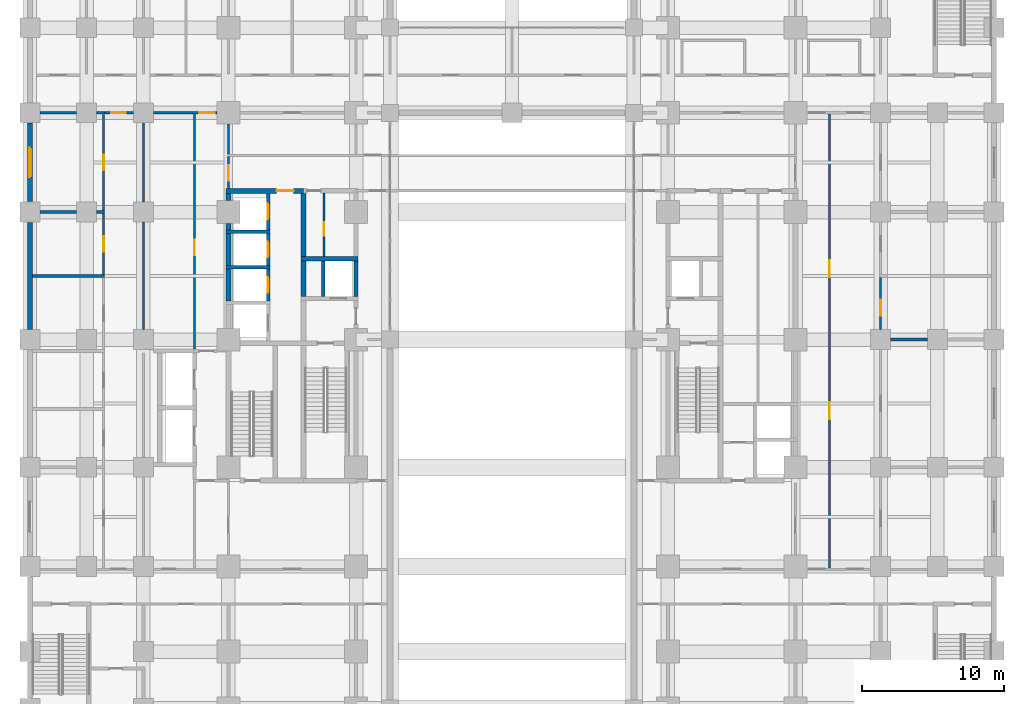
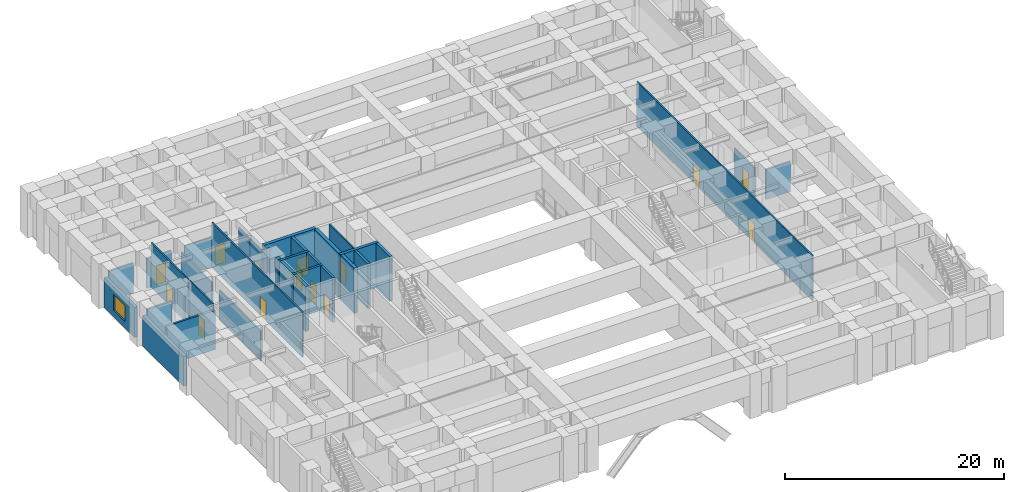
# One storey, part 14 of 24: 35 walls, 14 doors, 1 window, 15 openings.
"""IFC4 building model written with IfcOpenShell, lengths in metres."""

from ifc_helpers import new_model, si_unit, direction, frame, frame_2d, origin, place, context, subcontext, project, spatial, rectangle, extrude, material, layer, layer_set, type_object, element, fill, save


model = new_model("IFC4")

# Units and contexts
model_context = context("Model", 3, precision=1e-05, world=origin(), true_north=direction((0.0, 1.0)))
body_context = subcontext(model_context, "Body", "Model", "MODEL_VIEW")
ifc_project = project(units=[si_unit("LENGTHUNIT", "METRE"), si_unit("AREAUNIT", "SQUARE_METRE"), si_unit("VOLUMEUNIT", "CUBIC_METRE"), si_unit("PLANEANGLEUNIT", "RADIAN"), si_unit("MASSUNIT", "GRAM", prefix="KILO")], contexts=[model_context])

# Site, building, storey
site_placement = place(None, origin())
site = spatial("IfcSite", under=ifc_project, at=site_placement, CompositionType="ELEMENT")
building_placement = place(site_placement, origin())
building = spatial("IfcBuilding", under=site, at=building_placement, Name="Zulmaris Gate Convention Tower", CompositionType="ELEMENT")
storey_placement = place(building_placement, frame((0.0, 0.0, 16.320068359375)))
storey = spatial("IfcBuildingStorey", under=building, at=storey_placement, Name="L03", CompositionType="ELEMENT", Elevation=16.320068359375)

# Walls
ifc_material_1 = material(Name="Concrete C50/60", Category="concrete")
ifc_layer_1 = layer(ifc_material_1, 0.25, Name="Concrete C50/60")
ifc_layer_set_1 = layer_set([ifc_layer_1], Name="Concrete C50/60")
wall_type_1 = type_object("IfcWallType", Name="CORE-250", PredefinedType="SOLIDWALL", material=ifc_layer_set_1)
for number, where, z_axis, x_axis, name in (
    (1, (-20.175048828125, 5.10009765625, 0.0), (0.0, 0.0, 1.0), (1.0, 0.0, 0.0), "WL-L03-019"),
    (2, (-20.175048828125, 7.60009765625, 0.0), (0.0, 0.0, 1.0), (1.0, 0.0, 0.0), "WL-L03-022"),
):
    element("IfcWall", number, at=place(storey_placement, frame(where, z_axis=z_axis, x_axis=x_axis)), inside=storey, type_object=wall_type_1, Name=name, PredefinedType="SOLIDWALL", context=body_context, shape_type="SweptSolid", body=[
        extrude(rectangle(XDim=3.10009765625, YDim=0.25, at=frame_2d((1.550048828125, 0.0))), origin(), (0.0, 0.0, 1.0), 4.989990234375),
    ])

# Wall, opening, door
wall_1_placement = place(storey_placement, frame((-17.199951171875, 2.72705078125, 0.0), z_axis=(0.0, 0.0, 1.0), x_axis=(0.0, 1.0, 0.0)))
wall_1 = element("IfcWall", 3, at=wall_1_placement, inside=storey, type_object=wall_type_1, Name="WL-L03-079", PredefinedType="SOLIDWALL", context=body_context, shape_type="SweptSolid", body=[
    extrude(rectangle(XDim=2.245849609375, YDim=0.25, at=frame_2d((1.123046875, 0.0))), origin(), (0.0, 0.0, 1.0), 4.989990234375),
])
opening_1_placement = place(wall_1_placement, frame((0.572998046875, 0.0, 0.0)))
opening_1 = element("IfcOpeningElement", 4, at=opening_1_placement, cuts=wall_1, Name="Opening D-06", PredefinedType="OPENING", context=body_context, shape_type="SweptSolid", body=[
    extrude(rectangle(XDim=1.10009765625, YDim=2.199951171875, at=frame_2d((0.550048828125, 1.10009765625))), frame((0.0, 0.135009765625, 0.0), z_axis=(0.0, -1.0, 0.0), x_axis=(1.0, 0.0, 0.0)), (0.0, 0.0, 1.0), 0.27001953125),
])
ifc_material_2 = material(Name="Brushed Stainless Steel", Category="steel")
door_type_1 = type_object("IfcDoorType", Name="LD-1100", OperationType="NOTDEFINED", PredefinedType="DOOR", material=ifc_material_2)
door_1_placement = place(opening_1_placement, origin())
door_1 = element("IfcDoor", 5, at=door_1_placement, inside=storey, type_object=door_type_1, Name="L03 Lift Landing Door LP-02 13", OperationType="SLIDING_TO_LEFT", OverallHeight=2.199951171875, OverallWidth=1.10009765625, PredefinedType="DOOR", context=body_context, shape_type="SweptSolid", body=[
    extrude(rectangle(XDim=1.10009765625, YDim=2.199951171875, at=frame_2d((0.550048828125, 1.10009765625))), frame((0.0, 0.02490234375, 0.0), z_axis=(0.0, -1.0, 0.0), x_axis=(1.0, 0.0, 0.0)), (0.0, 0.0, 1.0), 0.050048828125),
])
fill(opening_1, door_1)

wall_2_placement = place(storey_placement, frame((-17.199951171875, 5.22705078125, 0.0), z_axis=(0.0, 0.0, 1.0), x_axis=(0.0, 1.0, 0.0)))
wall_2 = element("IfcWall", 6, at=wall_2_placement, inside=storey, type_object=wall_type_1, Name="WL-L03-080", PredefinedType="SOLIDWALL", context=body_context, shape_type="SweptSolid", body=[
    extrude(rectangle(XDim=2.245849609375, YDim=0.25, at=frame_2d((1.123046875, 0.0))), origin(), (0.0, 0.0, 1.0), 4.989990234375),
])
opening_2_placement = place(wall_2_placement, frame((0.572998046875, 0.0, 0.0)))
opening_2 = element("IfcOpeningElement", 7, at=opening_2_placement, cuts=wall_2, Name="Opening D-06", PredefinedType="OPENING", context=body_context, shape_type="SweptSolid", body=[
    extrude(rectangle(XDim=1.10009765625, YDim=2.199951171875, at=frame_2d((0.550048828125, 1.10009765625))), frame((0.0, 0.135009765625, 0.0), z_axis=(0.0, -1.0, 0.0), x_axis=(1.0, 0.0, 0.0)), (0.0, 0.0, 1.0), 0.27001953125),
])
door_2_placement = place(opening_2_placement, origin())
door_2 = element("IfcDoor", 8, at=door_2_placement, inside=storey, type_object=door_type_1, Name="L03 Lift Landing Door LP-03 14", OperationType="SLIDING_TO_LEFT", OverallHeight=2.199951171875, OverallWidth=1.10009765625, PredefinedType="DOOR", context=body_context, shape_type="SweptSolid", body=[
    extrude(rectangle(XDim=1.10009765625, YDim=2.199951171875, at=frame_2d((0.550048828125, 1.10009765625))), frame((0.0, 0.02490234375, 0.0), z_axis=(0.0, -1.0, 0.0), x_axis=(1.0, 0.0, 0.0)), (0.0, 0.0, 1.0), 0.050048828125),
])
fill(opening_2, door_2)

wall_3_placement = place(storey_placement, frame((-17.199951171875, 7.72705078125, 0.0), z_axis=(0.0, 0.0, 1.0), x_axis=(0.0, 1.0, 0.0)))
wall_3 = element("IfcWall", 9, at=wall_3_placement, inside=storey, type_object=wall_type_1, Name="WL-L03-081", PredefinedType="SOLIDWALL", context=body_context, shape_type="SweptSolid", body=[
    extrude(rectangle(XDim=2.595947265625, YDim=0.25, at=frame_2d((1.2978515625, 0.0))), origin(), (0.0, 0.0, 1.0), 4.989990234375),
])
opening_3_placement = place(wall_3_placement, frame((0.77294921875, 0.0, 0.0)))
opening_3 = element("IfcOpeningElement", 10, at=opening_3_placement, cuts=wall_3, Name="Opening D-06", PredefinedType="OPENING", context=body_context, shape_type="SweptSolid", body=[
    extrude(rectangle(XDim=1.10009765625, YDim=2.199951171875, at=frame_2d((0.550048828125, 1.10009765625))), frame((0.0, 0.135009765625, 0.0), z_axis=(0.0, -1.0, 0.0), x_axis=(1.0, 0.0, 0.0)), (0.0, 0.0, 1.0), 0.27001953125),
])
door_3_placement = place(opening_3_placement, origin())
door_3 = element("IfcDoor", 11, at=door_3_placement, inside=storey, type_object=door_type_1, Name="L03 Lift Landing Door LP-04 15", OperationType="SLIDING_TO_LEFT", OverallHeight=2.199951171875, OverallWidth=1.10009765625, PredefinedType="DOOR", context=body_context, shape_type="SweptSolid", body=[
    extrude(rectangle(XDim=1.10009765625, YDim=2.199951171875, at=frame_2d((0.550048828125, 1.10009765625))), frame((0.0, 0.02490234375, 0.0), z_axis=(0.0, -1.0, 0.0), x_axis=(1.0, 0.0, 0.0)), (0.0, 0.0, 1.0), 0.050048828125),
])
fill(opening_3, door_3)

# Walls
wall_4_placement = place(storey_placement, frame((-13.300048828125, 3.052001953125, 0.0), z_axis=(0.0, 0.0, 1.0), x_axis=(0.0, 1.0, 0.0)))
element("IfcWall", 12, at=wall_4_placement, inside=storey, type_object=wall_type_1, Name="WL-L03-087", PredefinedType="SOLIDWALL", context=body_context, shape_type="SweptSolid", body=[
    extrude(rectangle(XDim=2.49609375, YDim=0.25, at=frame_2d((1.248046875, 0.0))), origin(), (0.0, 0.0, 1.0), 4.989990234375),
])
ifc_layer_2 = layer(ifc_material_1, 0.300048828125, Name="Concrete C50/60")
ifc_layer_set_2 = layer_set([ifc_layer_2], Name="Concrete C50/60")
wall_type_2 = type_object("IfcWallType", Name="CORE-300", PredefinedType="SHEAR", material=ifc_layer_set_2)
wall_5_placement = place(storey_placement, frame((-14.875, 5.699951171875, 0.0), z_axis=(0.0, 0.0, 1.0), x_axis=(1.0, 0.0, 0.0)))
element("IfcWall", 13, at=wall_5_placement, inside=storey, type_object=wall_type_2, Name="WL-L03-020", PredefinedType="SHEAR", context=body_context, shape_type="SweptSolid", body=[
    extrude(rectangle(XDim=4.02490234375, YDim=0.300048828125, at=frame_2d((2.012451171875, 0.0))), origin(), (0.0, 0.0, 1.0), 4.989990234375),
])
wall_6_placement = place(storey_placement, frame((-11.0, 3.052001953125, 0.0), z_axis=(0.0, 0.0, 1.0), x_axis=(0.0, 1.0, 0.0)))
element("IfcWall", 14, at=wall_6_placement, inside=storey, type_object=wall_type_2, Name="WL-L03-091", PredefinedType="SHEAR", context=body_context, shape_type="SweptSolid", body=[
    extrude(rectangle(XDim=2.49609375, YDim=0.300048828125, at=frame_2d((1.248046875, 0.0))), origin(), (0.0, 0.0, 1.0), 4.989990234375),
])

# Wall, opening, door
ifc_material_3 = material(Name="Concrete C55/67", Category="concrete")
ifc_layer_3 = layer(ifc_material_3, 0.35009765625, Name="Concrete C55/67")
ifc_layer_set_3 = layer_set([ifc_layer_3], Name="Concrete C55/67")
wall_type_3 = type_object("IfcWallType", Name="CORE-350", PredefinedType="SHEAR", material=ifc_layer_set_3)
wall_7_placement = place(storey_placement, frame((-20.175048828125, 10.5, 0.0), z_axis=(0.0, 0.0, 1.0), x_axis=(1.0, 0.0, 0.0)))
wall_7 = element("IfcWall", 15, at=wall_7_placement, inside=storey, type_object=wall_type_3, Name="WL-L03-023", PredefinedType="SHEAR", context=body_context, shape_type="SweptSolid", body=[
    extrude(rectangle(XDim=5.47509765625, YDim=0.35009765625, at=frame_2d((2.737548828125, 0.0))), origin(), (0.0, 0.0, 1.0), 4.989990234375),
])
opening_4_placement = place(wall_7_placement, frame((3.574951171875, 0.0, 0.0)))
opening_4 = element("IfcOpeningElement", 16, at=opening_4_placement, cuts=wall_7, Name="Opening D-13", PredefinedType="OPENING", context=body_context, shape_type="SweptSolid", body=[
    extrude(rectangle(XDim=1.199951171875, YDim=2.14990234375, at=frame_2d((0.60009765625, 1.074951171875))), frame((0.0, 0.18505859375, 0.0), z_axis=(0.0, -1.0, 0.0), x_axis=(1.0, 0.0, 0.0)), (0.0, 0.0, 1.0), 0.3701171875),
])
ifc_material_4 = material(Name="Fire-Rated Steel", Category="steel")
door_type_2 = type_object("IfcDoorType", Name="DR-1200-FD", OperationType="NOTDEFINED", PredefinedType="DOOR", material=ifc_material_4)
door_4_placement = place(opening_4_placement, origin())
door_4 = element("IfcDoor", 17, at=door_4_placement, inside=storey, type_object=door_type_2, Name="L03 Low-Rise Lift Lobby Door 11", OperationType="SINGLE_SWING_LEFT", OverallHeight=2.14990234375, OverallWidth=1.199951171875, PredefinedType="DOOR", context=body_context, shape_type="SweptSolid", body=[
    extrude(rectangle(XDim=1.199951171875, YDim=2.14990234375, at=frame_2d((0.60009765625, 1.074951171875))), frame((0.0, 0.02490234375, 0.0), z_axis=(0.0, -1.0, 0.0), x_axis=(1.0, 0.0, 0.0)), (0.0, 0.0, 1.0), 0.050048828125),
])
fill(opening_4, door_4)

# Walls
for number, where, z_axis, x_axis, name in (
    (18, (-20.0, 2.72705078125, 0.0), (0.0, 0.0, 1.0), (0.0, 1.0, 0.0), "WL-L03-075"),
    (19, (-20.0, 5.22705078125, 0.0), (0.0, 0.0, 1.0), (0.0, 1.0, 0.0), "WL-L03-076"),
):
    element("IfcWall", number, at=place(storey_placement, frame(where, z_axis=z_axis, x_axis=x_axis)), inside=storey, type_object=wall_type_3, Name=name, PredefinedType="SHEAR", context=body_context, shape_type="SweptSolid", body=[
        extrude(rectangle(XDim=2.245849609375, YDim=0.35009765625, at=frame_2d((1.123046875, 0.0))), origin(), (0.0, 0.0, 1.0), 4.989990234375),
    ])
wall_8_placement = place(storey_placement, frame((-20.0, 7.72705078125, 0.0), z_axis=(0.0, 0.0, 1.0), x_axis=(0.0, 1.0, 0.0)))
element("IfcWall", 20, at=wall_8_placement, inside=storey, type_object=wall_type_3, Name="WL-L03-077", PredefinedType="SHEAR", context=body_context, shape_type="SweptSolid", body=[
    extrude(rectangle(XDim=0.468994140625, YDim=0.35009765625, at=frame_2d((0.234375, 0.0))), origin(), (0.0, 0.0, 1.0), 4.989990234375),
])
wall_9_placement = place(storey_placement, frame((-20.0, 9.803955078125, 0.0), z_axis=(0.0, 0.0, 1.0), x_axis=(0.0, 1.0, 0.0)))
element("IfcWall", 21, at=wall_9_placement, inside=storey, type_object=wall_type_3, Name="WL-L03-077S1", PredefinedType="SHEAR", context=body_context, shape_type="SweptSolid", body=[
    extrude(rectangle(XDim=0.51904296875, YDim=0.35009765625, at=frame_2d((0.259521484375, 0.0))), origin(), (0.0, 0.0, 1.0), 4.989990234375),
])
wall_10_placement = place(storey_placement, frame((-14.699951171875, 3.052001953125, 0.0), z_axis=(0.0, 0.0, 1.0), x_axis=(0.0, 1.0, 0.0)))
element("IfcWall", 22, at=wall_10_placement, inside=storey, type_object=wall_type_3, Name="WL-L03-085", PredefinedType="SHEAR", context=body_context, shape_type="SweptSolid", body=[
    extrude(rectangle(XDim=2.49609375, YDim=0.35009765625, at=frame_2d((1.248046875, 0.0))), origin(), (0.0, 0.0, 1.0), 4.989990234375),
])
wall_11_placement = place(storey_placement, frame((-14.699951171875, 5.85205078125, 0.0), z_axis=(0.0, 0.0, 1.0), x_axis=(0.0, 1.0, 0.0)))
element("IfcWall", 23, at=wall_11_placement, inside=storey, type_object=wall_type_3, Name="WL-L03-086", PredefinedType="SHEAR", context=body_context, shape_type="SweptSolid", body=[
    extrude(rectangle(XDim=4.470947265625, YDim=0.35009765625, at=frame_2d((2.2353515625, 0.0))), origin(), (0.0, 0.0, 1.0), 4.989990234375),
])

# Wall, opening, door
ifc_material_5 = material(Name="Gypsum Metal Stud Partition")
ifc_layer_4 = layer(ifc_material_5, 0.14990234375, Name="Gypsum Metal Stud Partition")
ifc_layer_set_4 = layer_set([ifc_layer_4], Name="Gypsum Metal Stud Partition")
wall_type_4 = type_object("IfcWallType", Name="PART-150", PredefinedType="PARTITIONING", material=ifc_layer_set_4)
wall_12_placement = place(storey_placement, frame((-28.875, 16.0, 0.0), z_axis=(0.0, 0.0, 1.0), x_axis=(1.0, 0.0, 0.0)))
wall_12 = element("IfcWall", 24, at=wall_12_placement, inside=storey, type_object=wall_type_4, Name="WL-L03-058", PredefinedType="PARTITIONING", context=body_context, shape_type="SweptSolid", body=[
    extrude(rectangle(XDim=2.1689453125, YDim=0.14990234375, at=frame_2d((1.08447265625, 0.0))), origin(), (0.0, 0.0, 1.0), 3.33203125),
])
opening_5_placement = place(wall_12_placement, frame((0.60009765625, 0.0, 0.0)))
opening_5 = element("IfcOpeningElement", 25, at=opening_5_placement, cuts=wall_12, Name="Opening D-09", PredefinedType="OPENING", context=body_context, shape_type="SweptSolid", body=[
    extrude(rectangle(XDim=1.050048828125, YDim=2.14990234375, at=frame_2d((0.52490234375, 1.074951171875))), frame((0.0, 0.0849609375, 0.0), z_axis=(0.0, -1.0, 0.0), x_axis=(1.0, 0.0, 0.0)), (0.0, 0.0, 1.0), 0.169921875),
])
door_type_3 = type_object("IfcDoorType", Name="DR-1050-FD", OperationType="NOTDEFINED", PredefinedType="DOOR", material=ifc_material_4)
door_5_placement = place(opening_5_placement, origin())
door_5 = element("IfcDoor", 26, at=door_5_placement, inside=storey, type_object=door_type_3, Name="L03 West Promenade North Concourse Door 64", OperationType="SINGLE_SWING_RIGHT", OverallHeight=2.14990234375, OverallWidth=1.050048828125, PredefinedType="DOOR", context=body_context, shape_type="SweptSolid", body=[
    extrude(rectangle(XDim=1.050048828125, YDim=2.14990234375, at=frame_2d((0.52490234375, 1.074951171875))), frame((0.0, 0.02490234375, 0.0), z_axis=(0.0, -1.0, 0.0), x_axis=(1.0, 0.0, 0.0)), (0.0, 0.0, 1.0), 0.050048828125),
])
fill(opening_5, door_5)

wall_13_placement = place(storey_placement, frame((-25.2939453125, 16.0, 0.0), z_axis=(0.0, 0.0, 1.0), x_axis=(1.0, 0.0, 0.0)))
wall_13 = element("IfcWall", 27, at=wall_13_placement, inside=storey, type_object=wall_type_4, Name="WL-L03-058S1", PredefinedType="PARTITIONING", context=body_context, shape_type="SweptSolid", body=[
    extrude(rectangle(XDim=4.488037109375, YDim=0.14990234375, at=frame_2d((2.244140625, 0.0))), origin(), (0.0, 0.0, 1.0), 3.33203125),
])
opening_6_placement = place(wall_13_placement, frame((3.238037109375, 0.0, 0.0)))
opening_6 = element("IfcOpeningElement", 28, at=opening_6_placement, cuts=wall_13, Name="Opening D-08", PredefinedType="OPENING", context=body_context, shape_type="SweptSolid", body=[
    extrude(rectangle(XDim=1.10009765625, YDim=2.14990234375, at=frame_2d((0.550048828125, 1.074951171875))), frame((0.0, 0.0849609375, 0.0), z_axis=(0.0, -1.0, 0.0), x_axis=(1.0, 0.0, 0.0)), (0.0, 0.0, 1.0), 0.169921875),
])
door_type_4 = type_object("IfcDoorType", Name="DR-1100-FD", OperationType="NOTDEFINED", PredefinedType="DOOR", material=ifc_material_4)
door_6_placement = place(opening_6_placement, origin())
door_6 = element("IfcDoor", 29, at=door_6_placement, inside=storey, type_object=door_type_4, Name="L03 West Concourse Link Door 34", OperationType="SINGLE_SWING_RIGHT", OverallHeight=2.14990234375, OverallWidth=1.10009765625, PredefinedType="DOOR", context=body_context, shape_type="SweptSolid", body=[
    extrude(rectangle(XDim=1.10009765625, YDim=2.14990234375, at=frame_2d((0.550048828125, 1.074951171875))), frame((0.0, 0.02490234375, 0.0), z_axis=(0.0, -1.0, 0.0), x_axis=(1.0, 0.0, 0.0)), (0.0, 0.0, 1.0), 0.050048828125),
])
fill(opening_6, door_6)

wall_14_placement = place(storey_placement, frame((-28.800048828125, 4.60302734375, 0.0), z_axis=(0.0, 0.0, 1.0), x_axis=(0.0, 1.0, 0.0)))
wall_14 = element("IfcWall", 30, at=wall_14_placement, inside=storey, type_object=wall_type_4, Name="WL-L03-115", PredefinedType="PARTITIONING", context=body_context, shape_type="SweptSolid", body=[
    extrude(rectangle(XDim=4.2939453125, YDim=0.14990234375, at=frame_2d((2.14697265625, 0.0))), origin(), (0.0, 0.0, 1.0), 4.989990234375),
])
opening_7_placement = place(wall_14_placement, frame((1.596923828125, 0.0, 0.0)))
opening_7 = element("IfcOpeningElement", 31, at=opening_7_placement, cuts=wall_14, Name="Opening D-08", PredefinedType="OPENING", context=body_context, shape_type="SweptSolid", body=[
    extrude(rectangle(XDim=1.10009765625, YDim=2.14990234375, at=frame_2d((0.550048828125, 1.074951171875))), frame((0.0, 0.0849609375, 0.0), z_axis=(0.0, -1.0, 0.0), x_axis=(1.0, 0.0, 0.0)), (0.0, 0.0, 1.0), 0.169921875),
])
door_7_placement = place(opening_7_placement, origin())
door_7 = element("IfcDoor", 32, at=door_7_placement, inside=storey, type_object=door_type_4, Name="L03 West Room WU2 Door 69", OperationType="SINGLE_SWING_LEFT", OverallHeight=2.14990234375, OverallWidth=1.10009765625, PredefinedType="DOOR", context=body_context, shape_type="SweptSolid", body=[
    extrude(rectangle(XDim=1.10009765625, YDim=2.14990234375, at=frame_2d((0.550048828125, 1.074951171875))), frame((0.0, 0.02490234375, 0.0), z_axis=(0.0, -1.0, 0.0), x_axis=(1.0, 0.0, 0.0)), (0.0, 0.0, 1.0), 0.050048828125),
])
fill(opening_7, door_7)

wall_15_placement = place(storey_placement, frame((-28.800048828125, 9.10302734375, 0.0), z_axis=(0.0, 0.0, 1.0), x_axis=(0.0, 1.0, 0.0)))
wall_15 = element("IfcWall", 33, at=wall_15_placement, inside=storey, type_object=wall_type_4, Name="WL-L03-116", PredefinedType="PARTITIONING", context=body_context, shape_type="SweptSolid", body=[
    extrude(rectangle(XDim=6.7939453125, YDim=0.14990234375, at=frame_2d((3.39697265625, 0.0))), origin(), (0.0, 0.0, 1.0), 4.989990234375),
])
opening_8_placement = place(wall_15_placement, frame((2.846923828125, 0.0, 0.0)))
opening_8 = element("IfcOpeningElement", 34, at=opening_8_placement, cuts=wall_15, Name="Opening D-08", PredefinedType="OPENING", context=body_context, shape_type="SweptSolid", body=[
    extrude(rectangle(XDim=1.10009765625, YDim=2.14990234375, at=frame_2d((0.550048828125, 1.074951171875))), frame((0.0, 0.0849609375, 0.0), z_axis=(0.0, -1.0, 0.0), x_axis=(1.0, 0.0, 0.0)), (0.0, 0.0, 1.0), 0.169921875),
])
door_8_placement = place(opening_8_placement, origin())
door_8 = element("IfcDoor", 35, at=door_8_placement, inside=storey, type_object=door_type_4, Name="L03 West Room WU3 Door 70", OperationType="SINGLE_SWING_RIGHT", OverallHeight=2.14990234375, OverallWidth=1.10009765625, PredefinedType="DOOR", context=body_context, shape_type="SweptSolid", body=[
    extrude(rectangle(XDim=1.10009765625, YDim=2.14990234375, at=frame_2d((0.550048828125, 1.074951171875))), frame((0.0, 0.02490234375, 0.0), z_axis=(0.0, -1.0, 0.0), x_axis=(1.0, 0.0, 0.0)), (0.0, 0.0, 1.0), 0.050048828125),
])
fill(opening_8, door_8)

# Walls
wall_16_placement = place(storey_placement, frame((-26.0, 0.7060546875, 0.0), z_axis=(0.0, 0.0, 1.0), x_axis=(0.0, 1.0, 0.0)))
element("IfcWall", 36, at=wall_16_placement, inside=storey, type_object=wall_type_4, Name="WL-L03-121", PredefinedType="PARTITIONING", context=body_context, shape_type="SweptSolid", body=[
    extrude(rectangle(XDim=7.587890625, YDim=0.14990234375, at=frame_2d((3.7939453125, 0.0))), origin(), (0.0, 0.0, 1.0), 3.33203125),
])
wall_17_placement = place(storey_placement, frame((-26.0, 9.7060546875, 0.0), z_axis=(0.0, 0.0, 1.0), x_axis=(0.0, 1.0, 0.0)))
element("IfcWall", 37, at=wall_17_placement, inside=storey, type_object=wall_type_4, Name="WL-L03-121S1", PredefinedType="PARTITIONING", context=body_context, shape_type="SweptSolid", body=[
    extrude(rectangle(XDim=5.587890625, YDim=0.14990234375, at=frame_2d((2.7939453125, 0.0))), origin(), (0.0, 0.0, 1.0), 3.33203125),
])

# Wall, opening, door
wall_18_placement = place(storey_placement, frame((-22.39990234375, -0.64697265625, 0.0), z_axis=(0.0, 0.0, 1.0), x_axis=(0.0, 1.0, 0.0)))
wall_18 = element("IfcWall", 38, at=wall_18_placement, inside=storey, type_object=wall_type_4, Name="WL-L03-126", PredefinedType="PARTITIONING", context=body_context, shape_type="SweptSolid", body=[
    extrude(rectangle(XDim=16.569091796875, YDim=0.14990234375, at=frame_2d((8.28466796875, 0.0))), origin(), (0.0, 0.0, 1.0), 4.989990234375),
])
opening_9_placement = place(wall_18_placement, frame((6.596923828125, 0.0, 0.0)))
opening_9 = element("IfcOpeningElement", 39, at=opening_9_placement, cuts=wall_18, Name="Opening D-08", PredefinedType="OPENING", context=body_context, shape_type="SweptSolid", body=[
    extrude(rectangle(XDim=1.10009765625, YDim=2.14990234375, at=frame_2d((0.550048828125, 1.074951171875))), frame((0.0, 0.0849609375, 0.0), z_axis=(0.0, -1.0, 0.0), x_axis=(1.0, 0.0, 0.0)), (0.0, 0.0, 1.0), 0.169921875),
])
door_9_placement = place(opening_9_placement, origin())
door_9 = element("IfcDoor", 40, at=door_9_placement, inside=storey, type_object=door_type_4, Name="L03 West Delegate Lounge Door 30", OperationType="SINGLE_SWING_RIGHT", OverallHeight=2.14990234375, OverallWidth=1.10009765625, PredefinedType="DOOR", context=body_context, shape_type="SweptSolid", body=[
    extrude(rectangle(XDim=1.10009765625, YDim=2.14990234375, at=frame_2d((0.550048828125, 1.074951171875))), frame((0.0, 0.02490234375, 0.0), z_axis=(0.0, -1.0, 0.0), x_axis=(1.0, 0.0, 0.0)), (0.0, 0.0, 1.0), 0.050048828125),
])
fill(opening_9, door_9)

wall_19_placement = place(storey_placement, frame((-20.0, 10.677978515625, 0.0), z_axis=(0.0, 0.0, 1.0), x_axis=(0.0, 1.0, 0.0)))
wall_19 = element("IfcWall", 41, at=wall_19_placement, inside=storey, type_object=wall_type_4, Name="WL-L03-129", PredefinedType="PARTITIONING", context=body_context, shape_type="SweptSolid", body=[
    extrude(rectangle(XDim=2.244140625, YDim=0.14990234375, at=frame_2d((1.1220703125, 0.0))), origin(), (0.0, 0.0, 1.0), 4.031982421875),
])
opening_10_placement = place(wall_19_placement, frame((0.52197265625, 0.0, 0.0)))
opening_10 = element("IfcOpeningElement", 42, at=opening_10_placement, cuts=wall_19, Name="Opening D-08", PredefinedType="OPENING", context=body_context, shape_type="SweptSolid", body=[
    extrude(rectangle(XDim=1.10009765625, YDim=2.14990234375, at=frame_2d((0.550048828125, 1.074951171875))), frame((0.0, 0.0849609375, 0.0), z_axis=(0.0, -1.0, 0.0), x_axis=(1.0, 0.0, 0.0)), (0.0, 0.0, 1.0), 0.169921875),
])
door_10_placement = place(opening_10_placement, origin())
door_10 = element("IfcDoor", 43, at=door_10_placement, inside=storey, type_object=door_type_4, Name="L03 West Passage North Door 42", OperationType="SINGLE_SWING_RIGHT", OverallHeight=2.14990234375, OverallWidth=1.10009765625, PredefinedType="DOOR", context=body_context, shape_type="SweptSolid", body=[
    extrude(rectangle(XDim=1.10009765625, YDim=2.14990234375, at=frame_2d((0.550048828125, 1.074951171875))), frame((0.0, 0.02490234375, 0.0), z_axis=(0.0, -1.0, 0.0), x_axis=(1.0, 0.0, 0.0)), (0.0, 0.0, 1.0), 0.050048828125),
])
fill(opening_10, door_10)

# Wall
wall_20_placement = place(storey_placement, frame((-20.0, 13.077880859375, 0.0), z_axis=(0.0, 0.0, 1.0), x_axis=(0.0, 1.0, 0.0)))
element("IfcWall", 44, at=wall_20_placement, inside=storey, type_object=wall_type_4, Name="WL-L03-130", PredefinedType="PARTITIONING", context=body_context, shape_type="SweptSolid", body=[
    extrude(rectangle(XDim=2.1162109375, YDim=0.14990234375, at=frame_2d((1.05810546875, 0.0))), origin(), (0.0, 0.0, 1.0), 4.031982421875),
])

# Wall, opening, door
wall_21_placement = place(storey_placement, frame((-13.25, 5.85302734375, 0.0), z_axis=(0.0, 0.0, 1.0), x_axis=(0.0, 1.0, 0.0)))
wall_21 = element("IfcWall", 45, at=wall_21_placement, inside=storey, type_object=wall_type_4, Name="WL-L03-133", PredefinedType="PARTITIONING", context=body_context, shape_type="SweptSolid", body=[
    extrude(rectangle(XDim=4.493896484375, YDim=0.14990234375, at=frame_2d((2.2470703125, 0.0))), origin(), (0.0, 0.0, 1.0), 4.989990234375),
])
opening_11_placement = place(wall_21_placement, frame((1.471923828125, 0.0, 0.0)))
opening_11 = element("IfcOpeningElement", 46, at=opening_11_placement, cuts=wall_21, Name="Opening D-11", PredefinedType="OPENING", context=body_context, shape_type="SweptSolid", body=[
    extrude(rectangle(XDim=0.949951171875, YDim=2.14990234375, at=frame_2d((0.47509765625, 1.074951171875))), frame((0.0, 0.0849609375, 0.0), z_axis=(0.0, -1.0, 0.0), x_axis=(1.0, 0.0, 0.0)), (0.0, 0.0, 1.0), 0.169921875),
])
ifc_material_6 = material(Name="Fire-Rated Timber", Category="wood")
door_type_5 = type_object("IfcDoorType", Name="DR-950-FD", OperationType="NOTDEFINED", PredefinedType="DOOR", material=ifc_material_6)
door_11_placement = place(opening_11_placement, origin())
door_11 = element("IfcDoor", 47, at=door_11_placement, inside=storey, type_object=door_type_5, Name="L03 Core Janitor Door 08", OperationType="SINGLE_SWING_RIGHT", OverallHeight=2.14990234375, OverallWidth=0.949951171875, PredefinedType="DOOR", context=body_context, shape_type="SweptSolid", body=[
    extrude(rectangle(XDim=0.949951171875, YDim=2.14990234375, at=frame_2d((0.47509765625, 1.074951171875))), frame((0.0, 0.02490234375, 0.0), z_axis=(0.0, -1.0, 0.0), x_axis=(1.0, 0.0, 0.0)), (0.0, 0.0, 1.0), 0.050048828125),
])
fill(opening_11, door_11)

# Wall, openings, doors
wall_22_placement = place(storey_placement, frame((22.39990234375, -16.1220703125, 0.0), z_axis=(0.0, 0.0, 1.0), x_axis=(0.0, 1.0, 0.0)))
wall_22 = element("IfcWall", 48, at=wall_22_placement, inside=storey, type_object=wall_type_4, Name="WL-L03-152", PredefinedType="PARTITIONING", context=body_context, shape_type="SweptSolid", body=[
    extrude(rectangle(XDim=32.044189453125, YDim=0.14990234375, at=frame_2d((16.02197265625, 0.0))), origin(), (0.0, 0.0, 1.0), 4.989990234375),
])
opening_12_placement = place(wall_22_placement, frame((10.52197265625, 0.0, 0.0)))
opening_12 = element("IfcOpeningElement", 49, at=opening_12_placement, cuts=wall_22, Name="Opening D-13", PredefinedType="OPENING", context=body_context, shape_type="SweptSolid", body=[
    extrude(rectangle(XDim=1.199951171875, YDim=2.14990234375, at=frame_2d((0.60009765625, 1.074951171875))), frame((0.0, 0.0849609375, 0.0), z_axis=(0.0, -1.0, 0.0), x_axis=(1.0, 0.0, 0.0)), (0.0, 0.0, 1.0), 0.169921875),
])
opening_13_placement = place(wall_22_placement, frame((20.52197265625, 0.0, 0.0)))
opening_13 = element("IfcOpeningElement", 50, at=opening_13_placement, cuts=wall_22, Name="Opening D-13", PredefinedType="OPENING", context=body_context, shape_type="SweptSolid", body=[
    extrude(rectangle(XDim=1.199951171875, YDim=2.14990234375, at=frame_2d((0.60009765625, 1.074951171875))), frame((0.0, 0.0849609375, 0.0), z_axis=(0.0, -1.0, 0.0), x_axis=(1.0, 0.0, 0.0)), (0.0, 0.0, 1.0), 0.169921875),
])
door_12_placement = place(opening_12_placement, origin())
door_12 = element("IfcDoor", 51, at=door_12_placement, inside=storey, type_object=door_type_2, Name="L03 East Promenade South Link Door 71", OperationType="SINGLE_SWING_LEFT", OverallHeight=2.14990234375, OverallWidth=1.199951171875, PredefinedType="DOOR", context=body_context, shape_type="SweptSolid", body=[
    extrude(rectangle(XDim=1.199951171875, YDim=2.14990234375, at=frame_2d((0.60009765625, 1.074951171875))), frame((0.0, 0.02490234375, 0.0), z_axis=(0.0, -1.0, 0.0), x_axis=(1.0, 0.0, 0.0)), (0.0, 0.0, 1.0), 0.050048828125),
])
fill(opening_12, door_12)
door_13_placement = place(opening_13_placement, origin())
door_13 = element("IfcDoor", 52, at=door_13_placement, inside=storey, type_object=door_type_2, Name="L03 East Promenade North Link Door 72", OperationType="SINGLE_SWING_RIGHT", OverallHeight=2.14990234375, OverallWidth=1.199951171875, PredefinedType="DOOR", context=body_context, shape_type="SweptSolid", body=[
    extrude(rectangle(XDim=1.199951171875, YDim=2.14990234375, at=frame_2d((0.60009765625, 1.074951171875))), frame((0.0, 0.02490234375, 0.0), z_axis=(0.0, -1.0, 0.0), x_axis=(1.0, 0.0, 0.0)), (0.0, 0.0, 1.0), 0.050048828125),
])
fill(opening_13, door_13)

# Wall, opening, door
wall_23_placement = place(storey_placement, frame((26.0, 0.7060546875, 0.0), z_axis=(0.0, 0.0, 1.0), x_axis=(0.0, 1.0, 0.0)))
wall_23 = element("IfcWall", 53, at=wall_23_placement, inside=storey, type_object=wall_type_4, Name="WL-L03-157", PredefinedType="PARTITIONING", context=body_context, shape_type="SweptSolid", body=[
    extrude(rectangle(XDim=3.69091796875, YDim=0.14990234375, at=frame_2d((1.845458984375, 0.0))), origin(), (0.0, 0.0, 1.0), 3.33203125),
])
opening_14_placement = place(wall_23_placement, frame((0.993896484375, 0.0, 0.0)))
opening_14 = element("IfcOpeningElement", 54, at=opening_14_placement, cuts=wall_23, Name="Opening D-08", PredefinedType="OPENING", context=body_context, shape_type="SweptSolid", body=[
    extrude(rectangle(XDim=1.10009765625, YDim=2.14990234375, at=frame_2d((0.550048828125, 1.074951171875))), frame((0.0, 0.0849609375, 0.0), z_axis=(0.0, -1.0, 0.0), x_axis=(1.0, 0.0, 0.0)), (0.0, 0.0, 1.0), 0.169921875),
])
door_14_placement = place(opening_14_placement, origin())
door_14 = element("IfcDoor", 55, at=door_14_placement, inside=storey, type_object=door_type_4, Name="L03 East Room E3 Door 77", OperationType="SINGLE_SWING_LEFT", OverallHeight=2.14990234375, OverallWidth=1.10009765625, PredefinedType="DOOR", context=body_context, shape_type="SweptSolid", body=[
    extrude(rectangle(XDim=1.10009765625, YDim=2.14990234375, at=frame_2d((0.550048828125, 1.074951171875))), frame((0.0, 0.02490234375, 0.0), z_axis=(0.0, -1.0, 0.0), x_axis=(1.0, 0.0, 0.0)), (0.0, 0.0, 1.0), 0.050048828125),
])
fill(opening_14, door_14)

# Walls
ifc_material_7 = material(Name="Autoclaved Aerated Concrete Block and Plasterboard", Category="concrete")
ifc_layer_5 = layer(ifc_material_7, 0.199951171875, Name="Autoclaved Aerated Concrete Block and Plasterboard")
ifc_layer_set_5 = layer_set([ifc_layer_5], Name="Autoclaved Aerated Concrete Block and Plasterboard")
wall_type_5 = type_object("IfcWallType", Name="PART-200", PredefinedType="PARTITIONING", material=ifc_layer_set_5)
wall_24_placement = place(storey_placement, frame((26.7060546875, 0.0, 0.0), z_axis=(0.0, 0.0, 1.0), x_axis=(1.0, 0.0, 0.0)))
element("IfcWall", 56, at=wall_24_placement, inside=storey, type_object=wall_type_5, Name="WL-L03-046", PredefinedType="PARTITIONING", context=body_context, shape_type="SweptSolid", body=[
    extrude(rectangle(XDim=2.587890625, YDim=0.199951171875, at=frame_2d((1.2939453125, 0.0))), origin(), (0.0, 0.0, 1.0), 3.33203125),
])
wall_25_placement = place(storey_placement, frame((-33.8349609375, 4.5, 0.0), z_axis=(0.0, 0.0, 1.0), x_axis=(1.0, 0.0, 0.0)))
element("IfcWall", 57, at=wall_25_placement, inside=storey, type_object=wall_type_5, Name="WL-L03-047", PredefinedType="PARTITIONING", context=body_context, shape_type="SweptSolid", body=[
    extrude(rectangle(XDim=5.10986328125, YDim=0.199951171875, at=frame_2d((2.554931640625, 0.0))), origin(), (0.0, 0.0, 1.0), 4.3798828125),
])
wall_26_placement = place(storey_placement, frame((-33.2939453125, 9.0, 0.0), z_axis=(0.0, 0.0, 1.0), x_axis=(1.0, 0.0, 0.0)))
element("IfcWall", 58, at=wall_26_placement, inside=storey, type_object=wall_type_5, Name="WL-L03-049", PredefinedType="PARTITIONING", context=body_context, shape_type="SweptSolid", body=[
    extrude(rectangle(XDim=2.587890625, YDim=0.199951171875, at=frame_2d((1.2939453125, 0.0))), origin(), (0.0, 0.0, 1.0), 3.33203125),
])
wall_27_placement = place(storey_placement, frame((-29.2939453125, 9.0, 0.0), z_axis=(0.0, 0.0, 1.0), x_axis=(1.0, 0.0, 0.0)))
element("IfcWall", 59, at=wall_27_placement, inside=storey, type_object=wall_type_5, Name="WL-L03-049S1", PredefinedType="PARTITIONING", context=body_context, shape_type="SweptSolid", body=[
    extrude(rectangle(XDim=0.56884765625, YDim=0.199951171875, at=frame_2d((0.284423828125, 0.0))), origin(), (0.0, 0.0, 1.0), 3.33203125),
])
wall_28_placement = place(storey_placement, frame((-33.2939453125, 16.0, 0.0), z_axis=(0.0, 0.0, 1.0), x_axis=(1.0, 0.0, 0.0)))
element("IfcWall", 60, at=wall_28_placement, inside=storey, type_object=wall_type_5, Name="WL-L03-057", PredefinedType="PARTITIONING", context=body_context, shape_type="SweptSolid", body=[
    extrude(rectangle(XDim=2.587890625, YDim=0.199951171875, at=frame_2d((1.2939453125, 0.0))), origin(), (0.0, 0.0, 1.0), 3.33203125),
])
wall_29_placement = place(storey_placement, frame((-29.2939453125, 16.0, 0.0), z_axis=(0.0, 0.0, 1.0), x_axis=(1.0, 0.0, 0.0)))
element("IfcWall", 61, at=wall_29_placement, inside=storey, type_object=wall_type_5, Name="WL-L03-057S1", PredefinedType="PARTITIONING", context=body_context, shape_type="SweptSolid", body=[
    extrude(rectangle(XDim=0.56884765625, YDim=0.199951171875, at=frame_2d((0.284423828125, 0.0))), origin(), (0.0, 0.0, 1.0), 3.33203125),
])
ifc_material_8 = material(Name="Precast concrete C45/55", Category="concrete")
ifc_layer_6 = layer(ifc_material_8, 0.35009765625, Name="Precast concrete C45/55")
ifc_layer_set_6 = layer_set([ifc_layer_6], Name="Precast concrete C45/55")
wall_type_6 = type_object("IfcWallType", Name="PRECAST-POD-350", PredefinedType="STANDARD", material=ifc_layer_set_6)
wall_30_placement = place(storey_placement, frame((-34.0, 0.72998046875, 0.0), z_axis=(0.0, 0.0, 1.0), x_axis=(0.0, 1.0, 0.0)))
element("IfcWall", 62, at=wall_30_placement, inside=storey, type_object=wall_type_6, Name="EW-L03-W-0_0", PredefinedType="STANDARD", context=body_context, shape_type="SweptSolid", body=[
    extrude(rectangle(XDim=7.5400390625, YDim=0.35009765625, at=frame_2d((3.77001953125, 0.0))), origin(), (0.0, 0.0, 1.0), 3.33203125),
])

# Wall, opening, window
wall_31_placement = place(storey_placement, frame((-34.0, 9.72998046875, 0.0), z_axis=(0.0, 0.0, 1.0), x_axis=(0.0, 1.0, 0.0)))
wall_31 = element("IfcWall", 63, at=wall_31_placement, inside=storey, type_object=wall_type_6, Name="EW-L03-W-9_0", PredefinedType="STANDARD", context=body_context, shape_type="SweptSolid", body=[
    extrude(rectangle(XDim=5.5400390625, YDim=0.35009765625, at=frame_2d((2.77001953125, 0.0))), origin(), (0.0, 0.0, 1.0), 3.33203125),
])
opening_15_placement = place(wall_31_placement, frame((1.719970703125, 0.0, 0.75)))
opening_15 = element("IfcOpeningElement", 64, at=opening_15_placement, cuts=wall_31, Name="Opening W-05", PredefinedType="OPENING", context=body_context, shape_type="SweptSolid", body=[
    extrude(rectangle(XDim=2.10009765625, YDim=1.75, at=frame_2d((1.050048828125, 0.875))), frame((0.0, 0.18505859375, 0.0), z_axis=(0.0, -1.0, 0.0), x_axis=(1.0, 0.0, 0.0)), (0.0, 0.0, 1.0), 0.3701171875),
])
ifc_material_9 = material(Name="Low-E Laminated Double Glazing in Aluminium Frame", Category="aluminium")
window_type = type_object("IfcWindowType", Name="WIN-2100x2400", PartitioningType="SINGLE_PANEL", PredefinedType="WINDOW", material=ifc_material_9)
window_placement = place(opening_15_placement, origin())
window = element("IfcWindow", 65, at=window_placement, inside=storey, type_object=window_type, Name="WN-EW-L03-W-9_0", OverallHeight=1.75, OverallWidth=2.10009765625, PartitioningType="SINGLE_PANEL", PredefinedType="WINDOW", context=body_context, shape_type="SweptSolid", body=[
    extrude(rectangle(XDim=2.10009765625, YDim=1.75, at=frame_2d((1.050048828125, 0.875))), frame((0.0, 0.030029296875, 0.0), z_axis=(0.0, -1.0, 0.0), x_axis=(1.0, 0.0, 0.0)), (0.0, 0.0, 1.0), 0.06005859375),
])
fill(opening_15, window)

save(model, "model.ifc")
